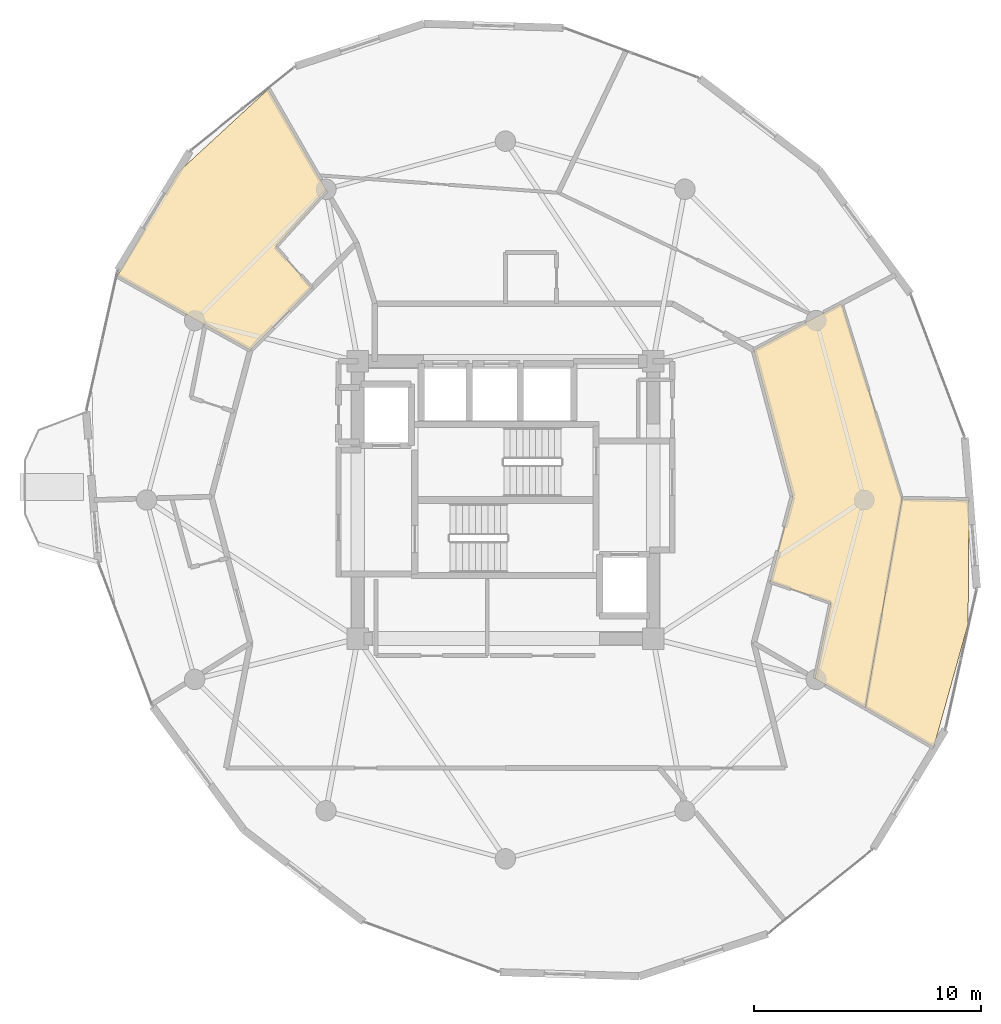
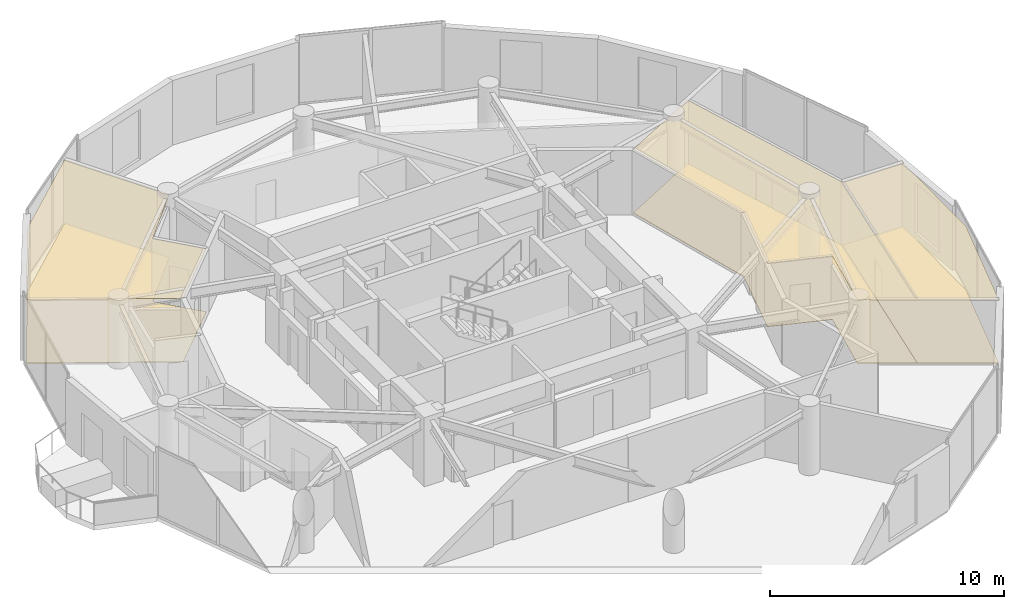
# One storey, part 20 of 20: 6 coverings.
"""IFC4 building model written with IfcOpenShell, lengths in metres."""

from ifc_helpers import new_model, si_unit, direction, frame, origin, place, context, subcontext, project, spatial, polyline, outline, extrude, material, layer, layer_set, type_object, element, save


model = new_model("IFC4")

# Units and contexts
model_context = context("Model", 3, precision=1e-05, world=origin(), true_north=direction((0.0, 1.0)))
body_context = subcontext(model_context, "Body", "Model", "MODEL_VIEW")
ifc_project = project(units=[si_unit("LENGTHUNIT", "METRE"), si_unit("AREAUNIT", "SQUARE_METRE"), si_unit("VOLUMEUNIT", "CUBIC_METRE"), si_unit("PLANEANGLEUNIT", "RADIAN"), si_unit("MASSUNIT", "GRAM", prefix="KILO")], contexts=[model_context])

# Site, building, storey
site_placement = place(None, origin())
site = spatial("IfcSite", under=ifc_project, at=site_placement, CompositionType="ELEMENT")
building_placement = place(site_placement, origin())
building = spatial("IfcBuilding", under=site, at=building_placement, Name="Solvirekh Grand Hotel", CompositionType="ELEMENT")
storey_placement = place(building_placement, frame((0.0, 0.0, 194.800048828125)))
storey = spatial("IfcBuildingStorey", under=building, at=storey_placement, Name="L50", CompositionType="ELEMENT", Elevation=194.800048828125)

# Coverings
ifc_material_1 = material(Name="Acoustic Mineral Ceiling Tile")
ifc_layer_1 = layer(ifc_material_1, 0.02490234375)
ifc_layer_set_1 = layer_set([ifc_layer_1], Name="Acoustic Mineral Ceiling Tile")
covering_type_1 = type_object("IfcCoveringType", Name="Cov_Ceiling_Acoustic", PredefinedType="CEILING", material=ifc_layer_set_1)
covering_1_placement = place(storey_placement, frame((0.0, 0.0, 3.31005859375)))
element("IfcCovering", 1, at=covering_1_placement, inside=storey, type_object=covering_type_1, Name="L50 Deluxe Guestroom 5202 acoustic ceiling", PredefinedType="CEILING", context=body_context, shape_type="SweptSolid", body=[
    extrude(outline(polyline([(-10.12109375, 11.139892578125), (-7.8740234375, 13.623046875), (-10.444091796875, 18.089111328125), (-14.419921875, 14.419921875), (-17.087890625, 9.865966796875), (-11.235107421875, 6.60009765625), (-8.51806640625, 9.339111328125), (-10.12109375, 11.139892578125)])), origin(), (0.0, 0.0, 1.0), 0.017822265625),
])
covering_2_placement = place(storey_placement, frame((0.0, 0.0, 3.31005859375)))
element("IfcCovering", 2, at=covering_2_placement, inside=storey, type_object=covering_type_1, Name="L50 Executive Suite 5205 Living Room acoustic ceiling", PredefinedType="CEILING", context=body_context, shape_type="SweptSolid", body=[
    extrude(outline(polyline([(14.325927734375, -4.51708984375), (13.6279296875, -7.860107421875), (15.846923828125, -9.14404296875), (17.462890625, 0.056884765625), (14.802978515625, 8.655029296875), (10.93505859375, 6.60009765625), (12.64990234375, 0.14990234375), (11.655029296875, -3.591064453125), (14.325927734375, -4.51708984375)])), origin(), (0.0, 0.0, 1.0), 0.017822265625),
])
covering_3_placement = place(storey_placement, frame((0.0, 0.0, 3.31005859375)))
element("IfcCovering", 3, at=covering_3_placement, inside=storey, type_object=covering_type_1, Name="L50 Executive Suite 5205 Master Bedroom acoustic ceiling", PredefinedType="CEILING", context=body_context, shape_type="SweptSolid", body=[
    extrude(outline(polyline([(18.85693359375, -10.886962890625), (20.3701171875, -5.4580078125), (20.4130859375, 0.0), (17.462890625, 0.056884765625), (15.846923828125, -9.14404296875), (18.85693359375, -10.886962890625)])), origin(), (0.0, 0.0, 1.0), 0.017822265625),
])
ifc_material_2 = material(Name="Porcelain Stoneware Flooring", Category="masonry")
ifc_layer_2 = layer(ifc_material_2, 0.030029296875)
ifc_layer_set_2 = layer_set([ifc_layer_2], Name="Porcelain Stoneware Flooring")
covering_type_2 = type_object("IfcCoveringType", Name="Cov_Floor_Stone", PredefinedType="FLOORING", material=ifc_layer_set_2)
covering_4_placement = place(storey_placement, origin())
element("IfcCovering", 4, at=covering_4_placement, inside=storey, type_object=covering_type_2, Name="L50 Deluxe Guestroom 5202 polished granite flooring", PredefinedType="FLOORING", context=body_context, shape_type="SweptSolid", body=[
    extrude(outline(polyline([(-10.12109375, 11.139892578125), (-7.8740234375, 13.623046875), (-10.444091796875, 18.089111328125), (-14.419921875, 14.419921875), (-17.087890625, 9.865966796875), (-11.235107421875, 6.60009765625), (-8.51806640625, 9.339111328125), (-10.12109375, 11.139892578125)])), origin(), (0.0, 0.0, 1.0), 0.02001953125),
])
covering_5_placement = place(storey_placement, origin())
element("IfcCovering", 5, at=covering_5_placement, inside=storey, type_object=covering_type_2, Name="L50 Executive Suite 5205 Living Room polished granite flooring", PredefinedType="FLOORING", context=body_context, shape_type="SweptSolid", body=[
    extrude(outline(polyline([(14.325927734375, -4.51708984375), (13.6279296875, -7.860107421875), (15.846923828125, -9.14404296875), (17.462890625, 0.056884765625), (14.802978515625, 8.655029296875), (10.93505859375, 6.60009765625), (12.64990234375, 0.14990234375), (11.655029296875, -3.591064453125), (14.325927734375, -4.51708984375)])), origin(), (0.0, 0.0, 1.0), 0.02001953125),
])
covering_6_placement = place(storey_placement, origin())
element("IfcCovering", 6, at=covering_6_placement, inside=storey, type_object=covering_type_2, Name="L50 Executive Suite 5205 Master Bedroom polished granite flooring", PredefinedType="FLOORING", context=body_context, shape_type="SweptSolid", body=[
    extrude(outline(polyline([(18.85693359375, -10.886962890625), (20.3701171875, -5.4580078125), (20.4130859375, 0.0), (17.462890625, 0.056884765625), (15.846923828125, -9.14404296875), (18.85693359375, -10.886962890625)])), origin(), (0.0, 0.0, 1.0), 0.02001953125),
])

save(model, "model.ifc")
